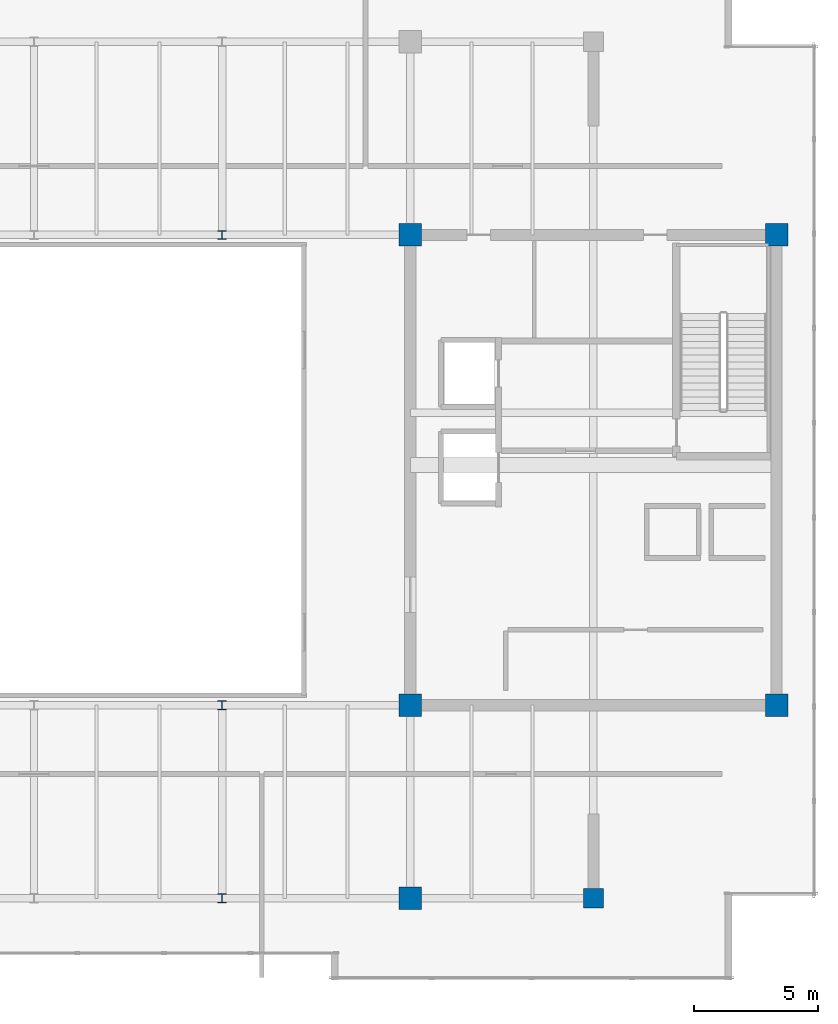
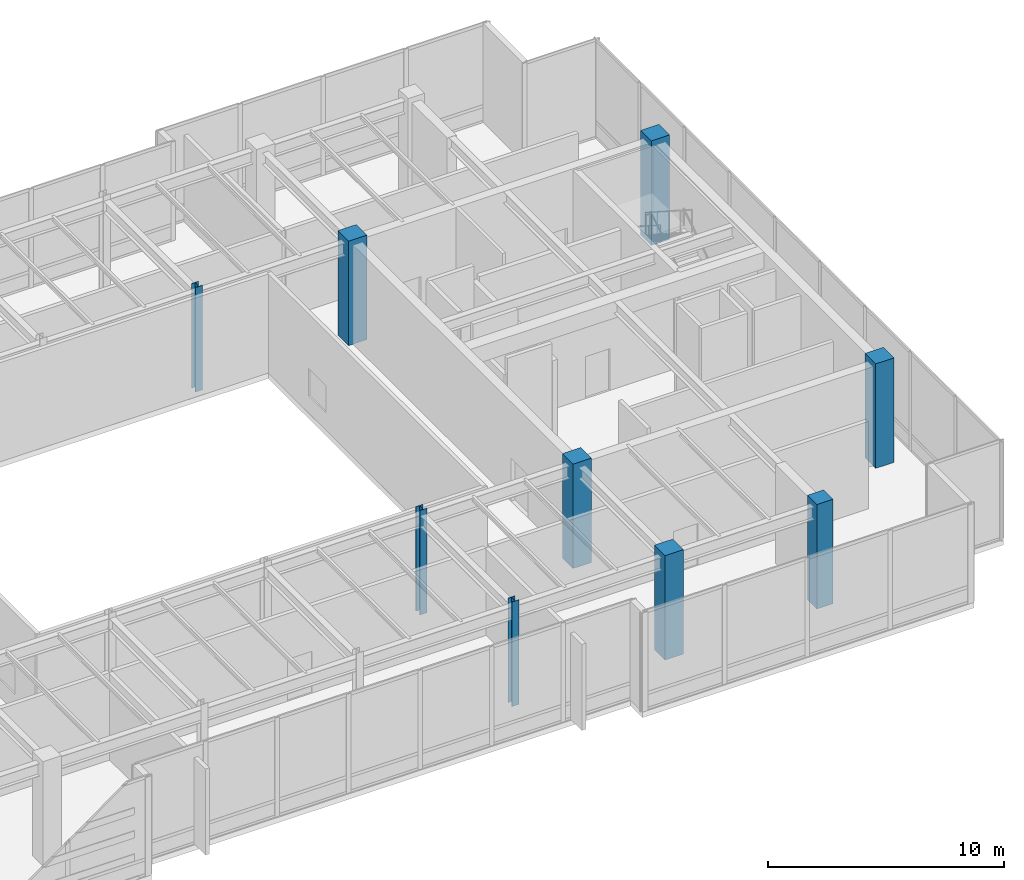
# One storey, part 2 of 30: 9 columns.
"""IFC4 building model written with IfcOpenShell, lengths in metres."""

from ifc_helpers import new_model, si_unit, direction, frame, origin, origin_2d, place, context, subcontext, project, spatial, rectangle, i_section, extrude, source, transform, mapped, material, material_profile, profile_set, type_object, type_shapes, element, save


model = new_model("IFC4")

# Units and contexts
model_context = context("Model", 3, precision=1e-05, world=origin(), true_north=direction((0.0, 1.0)))
body_context = subcontext(model_context, "Body", "Model", "MODEL_VIEW")
ifc_project = project(units=[si_unit("LENGTHUNIT", "METRE"), si_unit("AREAUNIT", "SQUARE_METRE"), si_unit("VOLUMEUNIT", "CUBIC_METRE"), si_unit("PLANEANGLEUNIT", "RADIAN"), si_unit("MASSUNIT", "GRAM", prefix="KILO")], contexts=[model_context])

# Site, building, storey
site_placement = place(None, origin())
site = spatial("IfcSite", under=ifc_project, at=site_placement, CompositionType="ELEMENT")
building_placement = place(site_placement, origin())
building = spatial("IfcBuilding", under=site, at=building_placement, Name="Haelvirn Gate Laboratories", CompositionType="ELEMENT")
storey_placement = place(building_placement, frame((0.0, 0.0, 327.0)))
storey = spatial("IfcBuildingStorey", under=building, at=storey_placement, Name="L78", CompositionType="ELEMENT", Elevation=327.0)

# Columns
ifc_material_1 = material(Name="Concrete C50/60", Category="concrete")
ifc_material_profile_1 = material_profile(ifc_material_1, rectangle(XDim=0.800048828125, YDim=0.800048828125, at=origin_2d()), Name="RC-800x800")
ifc_profile_set_1 = profile_set([ifc_material_profile_1], Name="Concrete C50/60")
column_type_1 = type_object("IfcColumnType", Name="COL-RC-800", PredefinedType="COLUMN", material=ifc_profile_set_1)
shared_shape_1 = source(origin(), body_context, "Body", "SweptSolid", [
    extrude(rectangle(XDim=0.800048828125, YDim=0.800048828125, at=origin_2d()), origin(), (0.0, 0.0, 1.0), 5.39990234375),
])
type_shapes(column_type_1, [shared_shape_1])
column_placement = place(storey_placement, frame((60.0, 7.0, 0.0), z_axis=(0.0, 0.0, 1.0), x_axis=(1.0, 0.0, 0.0)))
element("IfcColumn", 1, at=column_placement, inside=storey, type_object=column_type_1, Name="L78 Column 9B", PredefinedType="COLUMN", context=body_context, shape_type="MappedRepresentation", body=[
    mapped(shared_shape_1, transform((0.0, 0.0, 0.0), scale=1.0)),
])
ifc_material_profile_2 = material_profile(ifc_material_1, rectangle(XDim=0.89990234375, YDim=0.89990234375, at=origin_2d()), Name="RC-900x900")
ifc_profile_set_2 = profile_set([ifc_material_profile_2], Name="Concrete C50/60")
column_type_2 = type_object("IfcColumnType", Name="COL-RC-900", PredefinedType="COLUMN", material=ifc_profile_set_2)
shared_shape_2 = source(origin(), body_context, "Body", "SweptSolid", [
    extrude(rectangle(XDim=0.89990234375, YDim=0.89990234375, at=origin_2d()), origin(), (0.0, 0.0, 1.0), 5.39990234375),
])
type_shapes(column_type_2, [shared_shape_2])
for number, where, z_axis, x_axis, name in (
    (2, (52.60009765625, 7.0, 0.0), (0.0, 0.0, 1.0), (1.0, 0.0, 0.0), "L78 Column 8B"),
    (3, (52.60009765625, 14.800048828125, 0.0), (0.0, 0.0, 1.0), (1.0, 0.0, 0.0), "L78 Column 8C"),
    (4, (67.39990234375, 14.800048828125, 0.0), (0.0, 0.0, 1.0), (1.0, 0.0, 0.0), "L78 Column 10C"),
    (5, (52.60009765625, 33.800048828125, 0.0), (0.0, 0.0, 1.0), (1.0, 0.0, 0.0), "L78 Column 8F"),
    (6, (67.39990234375, 33.800048828125, 0.0), (0.0, 0.0, 1.0), (1.0, 0.0, 0.0), "L78 Column 10F"),
):
    element("IfcColumn", number, at=place(storey_placement, frame(where, z_axis=z_axis, x_axis=x_axis)), inside=storey, type_object=column_type_2, Name=name, PredefinedType="COLUMN", context=body_context, shape_type="MappedRepresentation", body=[
        mapped(shared_shape_2, transform((0.0, 0.0, 0.0), scale=1.0)),
    ])
ifc_material_2 = material(Name="Steel SM355", Category="steel")
ifc_material_profile_3 = material_profile(ifc_material_2, i_section(OverallWidth=0.35009765625, OverallDepth=0.35009765625, WebThickness=0.011962890625, FlangeThickness=0.01904296875, at=origin_2d()), Name="H-350x350x12x19")
ifc_profile_set_3 = profile_set([ifc_material_profile_3], Name="Steel SM355")
column_type_3 = type_object("IfcColumnType", Name="COL-H-350", PredefinedType="COLUMN", material=ifc_profile_set_3)
shared_shape_3 = source(origin(), body_context, "Body", "SweptSolid", [
    extrude(i_section(OverallWidth=0.35009765625, OverallDepth=0.35009765625, WebThickness=0.011962890625, FlangeThickness=0.01904296875, at=origin_2d()), origin(), (0.0, 0.0, 1.0), 5.39990234375),
])
type_shapes(column_type_3, [shared_shape_3])
for number, where, z_axis, x_axis, name in (
    (7, (45.0, 7.0, 0.0), (0.0, 0.0, 1.0), (1.0, 0.0, 0.0), "L78 Column 7B"),
    (8, (45.0, 14.800048828125, 0.0), (0.0, 0.0, 1.0), (1.0, 0.0, 0.0), "L78 Column 7C"),
    (9, (45.0, 33.800048828125, 0.0), (0.0, 0.0, 1.0), (1.0, 0.0, 0.0), "L78 Column 7F"),
):
    element("IfcColumn", number, at=place(storey_placement, frame(where, z_axis=z_axis, x_axis=x_axis)), inside=storey, type_object=column_type_3, Name=name, PredefinedType="COLUMN", context=body_context, shape_type="MappedRepresentation", body=[
        mapped(shared_shape_3, transform((0.0, 0.0, 0.0), scale=1.0)),
    ])

save(model, "model.ifc")
